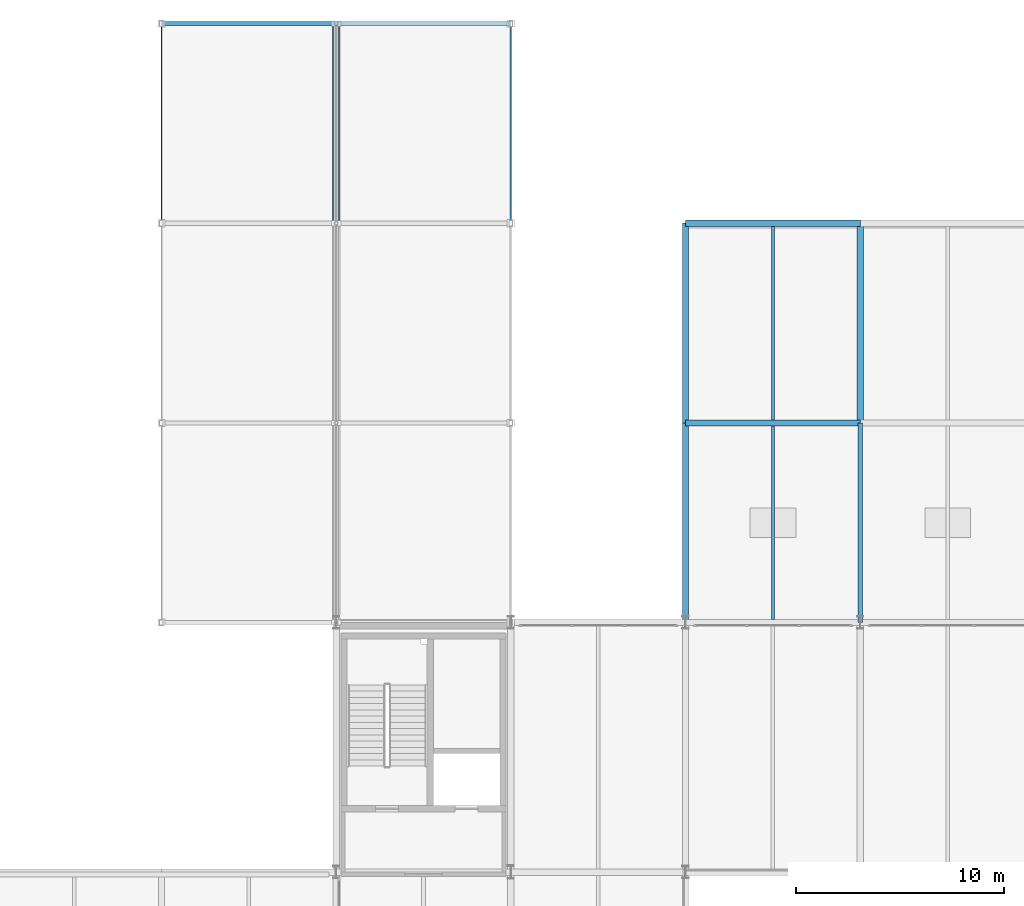
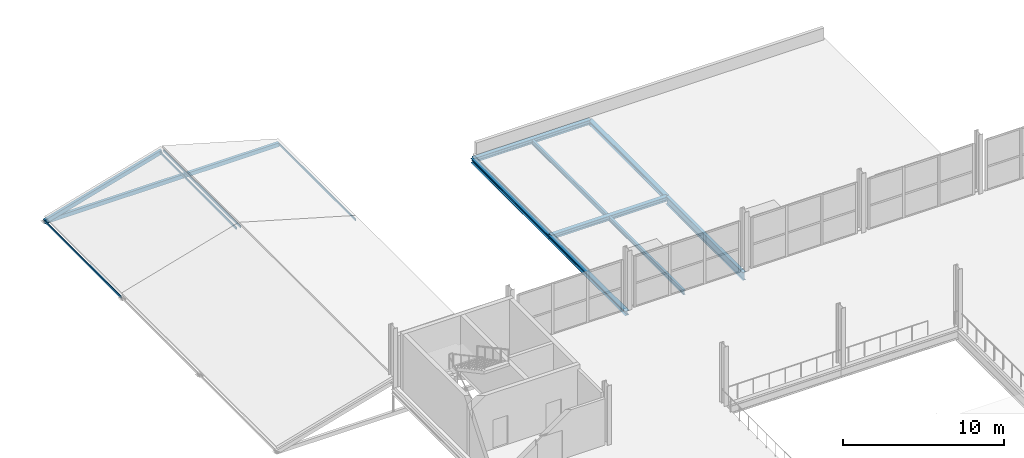
# One storey, part 71 of 130: 8 beams, 6 members.
"""IFC4 building model written with IfcOpenShell, lengths in metres."""

from ifc_helpers import new_model, si_unit, direction, frame, origin, origin_2d, place, context, subcontext, project, spatial, hollow_rectangle, i_section, extrude, material, material_profile, profile_set, type_object, element, save


model = new_model("IFC4")

# Units and contexts
model_context = context("Model", 3, precision=1e-05, world=origin(), true_north=direction((0.0, 1.0)))
body_context = subcontext(model_context, "Body", "Model", "MODEL_VIEW")
ifc_project = project(units=[si_unit("LENGTHUNIT", "METRE"), si_unit("AREAUNIT", "SQUARE_METRE"), si_unit("VOLUMEUNIT", "CUBIC_METRE"), si_unit("PLANEANGLEUNIT", "RADIAN"), si_unit("MASSUNIT", "GRAM", prefix="KILO")], contexts=[model_context])

# Site, building, storey
site_placement = place(None, origin())
site = spatial("IfcSite", under=ifc_project, at=site_placement, CompositionType="ELEMENT")
building_placement = place(site_placement, origin())
building = spatial("IfcBuilding", under=site, at=building_placement, Name="Veltarok Museum of Natural Sciences", CompositionType="ELEMENT")
storey_placement = place(building_placement, frame((0.0, 0.0, 12.89990234375)))
storey = spatial("IfcBuildingStorey", under=building, at=storey_placement, Name="L02", CompositionType="ELEMENT", Elevation=12.89990234375)

# Beams
ifc_material_1 = material(Name="Steel S355J2", Category="steel")
ifc_material_profile_1 = material_profile(ifc_material_1, i_section(OverallWidth=0.159912109375, OverallDepth=0.330078125, WebThickness=0.007568359375, FlangeThickness=0.011474609375, FilletRadius=0.01806640625, at=origin_2d()), Name="IPE 330")
ifc_profile_set_1 = profile_set([ifc_material_profile_1], Name="Steel S355J2")
beam_type_1 = type_object("IfcBeamType", Name="Medium-Bay Composite Joist IPE 330", PredefinedType="JOIST", material=ifc_profile_set_1)
for number, where, z_axis, x_axis, name in (
    (1, (61.0, 72.14794921875, -0.414794921875), (0.0, 1.0, 0.0), (-1.0, 0.0, 0.0), "Secondary Joist BM-J02 L02 7-8/H-J.1"),
    (2, (61.0, 81.748046875, -0.414794921875), (0.0, 1.0, 0.0), (-1.0, 0.0, 0.0), "Secondary Joist BM-J02 L02 7-8/J-K.1"),
):
    element("IfcBeam", number, at=place(storey_placement, frame(where, z_axis=z_axis, x_axis=x_axis)), inside=storey, type_object=beam_type_1, Name=name, PredefinedType="JOIST", context=body_context, shape_type="SweptSolid", body=[
        extrude(i_section(OverallWidth=0.159912109375, OverallDepth=0.330078125, WebThickness=0.007568359375, FlangeThickness=0.011474609375, FilletRadius=0.01806640625, at=origin_2d()), origin(), (0.0, 0.0, 1.0), 9.303955078125),
    ])

# Members
ifc_material_2 = material(Name="Oxide-red painted Steel S355J2", Category="steel")
ifc_material_profile_2 = material_profile(ifc_material_2, hollow_rectangle(XDim=0.199951171875, YDim=0.300048828125, WallThickness=0.012451171875, at=origin_2d()), Name="RHS 300x200x12.5")
ifc_profile_set_2 = profile_set([ifc_material_profile_2], Name="Oxide-red painted Steel S355J2")
member_type_1 = type_object("IfcMemberType", Name="Passage Portal Chord RHS 300x200x12.5", PredefinedType="CHORD", material=ifc_profile_set_2)
member_1_placement = place(storey_placement, frame((31.60009765625, 100.800048828125, -2.099853515625), z_axis=(1.0, 0.0, 0.0), x_axis=(0.0, 1.0, 0.0)))
element("IfcMember", 3, at=member_1_placement, inside=storey, type_object=member_type_1, Name="Passage Portal Tie Chord Y=100.8", PredefinedType="CHORD", context=body_context, shape_type="SweptSolid", body=[
    extrude(hollow_rectangle(XDim=0.199951171875, YDim=0.300048828125, WallThickness=0.012451171875, at=origin_2d()), origin(), (0.0, 0.0, 1.0), 16.7998046875),
])
member_2_placement = place(storey_placement, frame((31.60009765625, 100.800048828125, -2.099853515625), z_axis=(0.96152605678, 0.0, 0.274713745804), x_axis=(0.0, 1.0, 0.0)))
element("IfcMember", 4, at=member_2_placement, inside=storey, type_object=member_type_1, Name="Passage Portal Chord Y=100.8 1", PredefinedType="CHORD", context=body_context, shape_type="SweptSolid", body=[
    extrude(hollow_rectangle(XDim=0.199951171875, YDim=0.300048828125, WallThickness=0.012451171875, at=origin_2d()), origin(), (0.0, 0.0, 1.0), 8.736083984375),
])

# Beams
ifc_material_profile_3 = material_profile(ifc_material_1, i_section(OverallWidth=0.300048828125, OverallDepth=0.330078125, WebThickness=0.009521484375, FlangeThickness=0.0166015625, FilletRadius=0.027099609375, at=origin_2d()), Name="HEA 340")
ifc_profile_set_3 = profile_set([ifc_material_profile_3], Name="Steel S355J2")
beam_type_2 = type_object("IfcBeamType", Name="Perimeter Upper Spandrel HEA 340", PredefinedType="SPANDREL", material=ifc_profile_set_3)
for number, where, z_axis, x_axis, name in (
    (5, (56.800048828125, 81.60009765625, -0.414794921875), (1.0, 0.0, 0.0), (0.0, 1.0, 0.0), "Beam BM-SP05 L02 7-8/J"),
    (6, (56.800048828125, 91.199951171875, -0.414794921875), (1.0, 0.0, 0.0), (0.0, 1.0, 0.0), "Beam BM-SP05 L02 7-8/K"),
):
    element("IfcBeam", number, at=place(storey_placement, frame(where, z_axis=z_axis, x_axis=x_axis)), inside=storey, type_object=beam_type_2, Name=name, PredefinedType="SPANDREL", context=body_context, shape_type="SweptSolid", body=[
        extrude(i_section(OverallWidth=0.300048828125, OverallDepth=0.330078125, WebThickness=0.009521484375, FlangeThickness=0.0166015625, FilletRadius=0.027099609375, at=origin_2d()), origin(), (0.0, 0.0, 1.0), 8.39990234375),
    ])
beam_1_placement = place(storey_placement, frame((56.800048828125, 72.0, -0.414794921875), z_axis=(0.0, 1.0, 0.0), x_axis=(-1.0, 0.0, 0.0)))
element("IfcBeam", 7, at=beam_1_placement, inside=storey, type_object=beam_type_2, Name="Beam BM-SP05 L02 7/H-J", PredefinedType="SPANDREL", context=body_context, shape_type="SweptSolid", body=[
    extrude(i_section(OverallWidth=0.300048828125, OverallDepth=0.330078125, WebThickness=0.009521484375, FlangeThickness=0.0166015625, FilletRadius=0.027099609375, at=origin_2d()), origin(), (0.0, 0.0, 1.0), 9.60009765625),
])
for number, where, z_axis, x_axis, name in (
    (8, (56.800048828125, 81.60009765625, -0.414794921875), (0.0, 1.0, 0.0), (-1.0, 0.0, 0.0), "Beam BM-SP05 L02 7/J-K"),
    (9, (65.199951171875, 81.60009765625, -0.414794921875), (0.0, 1.0, 0.0), (-1.0, 0.0, 0.0), "Beam BM-SP05 L02 8/J-K"),
):
    element("IfcBeam", number, at=place(storey_placement, frame(where, z_axis=z_axis, x_axis=x_axis)), inside=storey, type_object=beam_type_2, Name=name, PredefinedType="SPANDREL", context=body_context, shape_type="SweptSolid", body=[
        extrude(i_section(OverallWidth=0.300048828125, OverallDepth=0.330078125, WebThickness=0.009521484375, FlangeThickness=0.0166015625, FilletRadius=0.027099609375, at=origin_2d()), origin(), (0.0, 0.0, 1.0), 9.599853515625),
    ])
ifc_material_profile_4 = material_profile(ifc_material_1, i_section(OverallWidth=0.219970703125, OverallDepth=0.60009765625, WebThickness=0.011962890625, FlangeThickness=0.01904296875, FilletRadius=0.02392578125, at=origin_2d()), Name="IPE 600")
ifc_profile_set_4 = profile_set([ifc_material_profile_4], Name="Steel S355J2")
beam_type_3 = type_object("IfcBeamType", Name="Primary Museum Girder IPE 600", PredefinedType="BEAM", material=ifc_profile_set_4)
beam_2_placement = place(storey_placement, frame((65.199951171875, 72.0, -0.5498046875), z_axis=(0.0, 1.0, 0.0), x_axis=(-1.0, 0.0, 0.0)))
element("IfcBeam", 10, at=beam_2_placement, inside=storey, type_object=beam_type_3, Name="Beam BM-G02 L02 8/H-J", PredefinedType="BEAM", context=body_context, shape_type="SweptSolid", body=[
    extrude(i_section(OverallWidth=0.219970703125, OverallDepth=0.60009765625, WebThickness=0.011962890625, FlangeThickness=0.01904296875, FilletRadius=0.02392578125, at=origin_2d()), origin(), (0.0, 0.0, 1.0), 9.60009765625),
])

# Members
ifc_material_profile_5 = material_profile(ifc_material_1, hollow_rectangle(XDim=0.06005859375, YDim=0.159912109375, WallThickness=0.0048828125, at=origin_2d()), Name="RHS 160x60x5")
ifc_profile_set_5 = profile_set([ifc_material_profile_5], Name="Steel S355J2")
member_type_2 = type_object("IfcMemberType", Name="Sawtooth Roof Purlin RHS 160x60x5", PredefinedType="PURLIN", material=ifc_profile_set_5)
for number, where, z_axis, x_axis, name in (
    (11, (31.60009765625, 91.199951171875, -2.0498046875), (0.0, 1.0, 0.0), (-1.0, 0.0, 0.0), "Passage Longitudinal Tie W K-L"),
    (12, (39.85009765625, 91.199951171875, 0.300048828125), (0.0, 1.0, 0.0), (-1.0, 0.0, 0.0), "Passage Longitudinal Tie RW K-L"),
    (13, (40.14990234375, 91.199951171875, 0.300048828125), (0.0, 1.0, 0.0), (-1.0, 0.0, 0.0), "Passage Longitudinal Tie RE K-L"),
    (14, (48.39990234375, 91.199951171875, -2.0498046875), (0.0, 1.0, 0.0), (-1.0, 0.0, 0.0), "Passage Longitudinal Tie E K-L"),
):
    element("IfcMember", number, at=place(storey_placement, frame(where, z_axis=z_axis, x_axis=x_axis)), inside=storey, type_object=member_type_2, Name=name, PredefinedType="PURLIN", context=body_context, shape_type="SweptSolid", body=[
        extrude(hollow_rectangle(XDim=0.06005859375, YDim=0.159912109375, WallThickness=0.0048828125, at=origin_2d()), origin(), (0.0, 0.0, 1.0), 9.60009765625),
    ])

save(model, "model.ifc")
